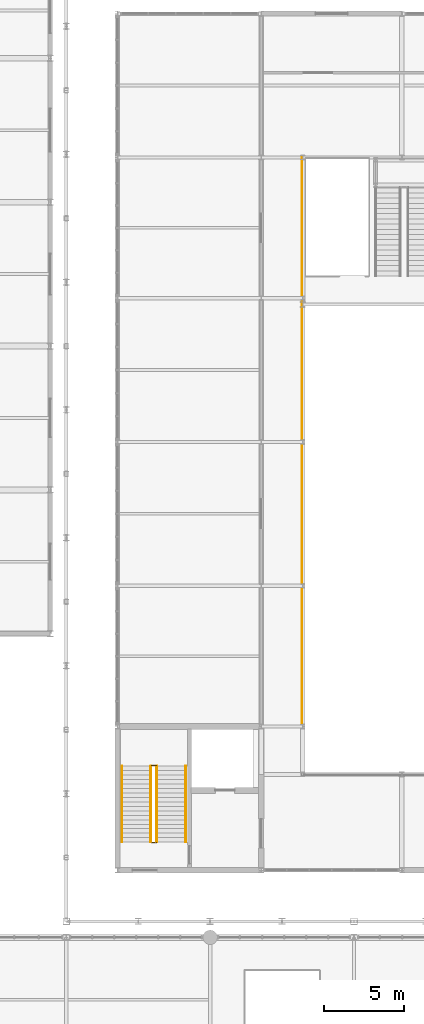
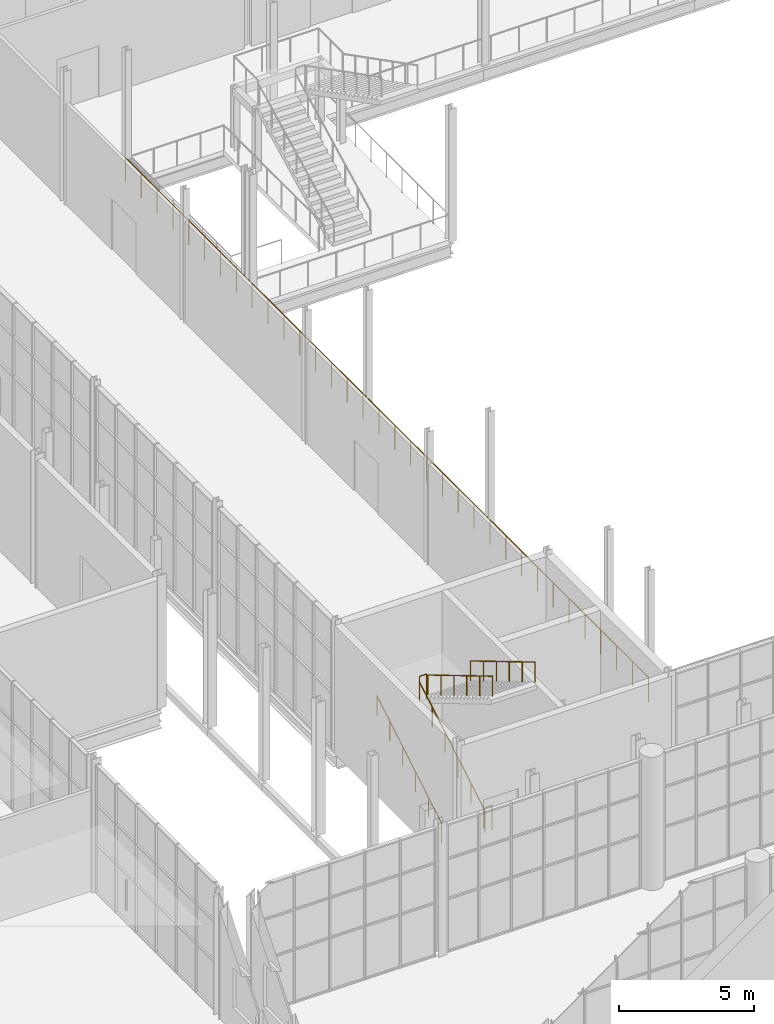
# One storey, part 148 of 159: 7 railings.
"""IFC4 building model written with IfcOpenShell, lengths in metres."""

from ifc_helpers import new_model, si_unit, direction, frame, origin, origin_2d, place, context, subcontext, project, spatial, circle, extrude, material, type_object, element, save


model = new_model("IFC4")

# Units and contexts
model_context = context("Model", 3, precision=1e-05, world=origin(), true_north=direction((0.0, 1.0)))
body_context = subcontext(model_context, "Body", "Model", "MODEL_VIEW")
ifc_project = project(units=[si_unit("LENGTHUNIT", "METRE"), si_unit("AREAUNIT", "SQUARE_METRE"), si_unit("VOLUMEUNIT", "CUBIC_METRE"), si_unit("PLANEANGLEUNIT", "RADIAN"), si_unit("MASSUNIT", "GRAM", prefix="KILO")], contexts=[model_context])

# Site, building, storey
site_placement = place(None, origin())
site = spatial("IfcSite", under=ifc_project, at=site_placement, CompositionType="ELEMENT")
building_placement = place(site_placement, origin())
building = spatial("IfcBuilding", under=site, at=building_placement, Name="Cazmaro Siding Exhibition Halls", CompositionType="ELEMENT")
storey_placement = place(building_placement, frame((0.0, 0.0, 6.0)))
storey = spatial("IfcBuildingStorey", under=building, at=storey_placement, Name="L01", CompositionType="ELEMENT", Elevation=6.0)

# Railings
ifc_material_1 = material(Name="Interior Laminated Glass and Brushed Stainless Steel Balustrade", Category="steel")
railing_type_1 = type_object("IfcRailingType", Name="RL-BAL-02", PredefinedType="BALUSTRADE", material=ifc_material_1)
railing_1_placement = place(storey_placement, frame((59.75, 73.199951171875, 0.0)))
element("IfcRailing", 1, at=railing_1_placement, inside=storey, type_object=railing_type_1, Name="Hall A West Gallery Overlook Guard L01 RL-BAL-02 RL-G008", PredefinedType="BALUSTRADE", context=body_context, shape_type="SweptSolid", body=[
    extrude(circle(Radius=0.02392578125, at=origin_2d()), frame((0.0, 0.0, 1.09619140625), z_axis=(0.0, 1.0, 0.0), x_axis=(-1.0, 0.0, 0.0)), (0.0, 0.0, 1.0), 38.60009765625),
    extrude(circle(Radius=0.02099609375, at=origin_2d()), origin(), (0.0, 0.0, 1.0), 1.072021484375),
    extrude(circle(Radius=0.02099609375, at=origin_2d()), frame((0.0, 1.169677734375, 0.0)), (0.0, 0.0, 1.0), 1.072021484375),
    extrude(circle(Radius=0.02099609375, at=origin_2d()), frame((0.0, 2.33935546875, 0.0)), (0.0, 0.0, 1.0), 1.072021484375),
    extrude(circle(Radius=0.02099609375, at=origin_2d()), frame((0.0, 3.509033203125, 0.0)), (0.0, 0.0, 1.0), 1.072021484375),
    extrude(circle(Radius=0.02099609375, at=origin_2d()), frame((0.0, 4.6787109375, 0.0)), (0.0, 0.0, 1.0), 1.072021484375),
    extrude(circle(Radius=0.02099609375, at=origin_2d()), frame((0.0, 5.848388671875, 0.0)), (0.0, 0.0, 1.0), 1.072021484375),
    extrude(circle(Radius=0.02099609375, at=origin_2d()), frame((0.0, 7.018310546875, 0.0)), (0.0, 0.0, 1.0), 1.072021484375),
    extrude(circle(Radius=0.02099609375, at=origin_2d()), frame((0.0, 8.18798828125, 0.0)), (0.0, 0.0, 1.0), 1.072021484375),
    extrude(circle(Radius=0.02099609375, at=origin_2d()), frame((0.0, 9.357666015625, 0.0)), (0.0, 0.0, 1.0), 1.072021484375),
    extrude(circle(Radius=0.02099609375, at=origin_2d()), frame((0.0, 10.52734375, 0.0)), (0.0, 0.0, 1.0), 1.072021484375),
    extrude(circle(Radius=0.02099609375, at=origin_2d()), frame((0.0, 11.697021484375, 0.0)), (0.0, 0.0, 1.0), 1.072021484375),
    extrude(circle(Radius=0.02099609375, at=origin_2d()), frame((0.0, 12.86669921875, 0.0)), (0.0, 0.0, 1.0), 1.072021484375),
    extrude(circle(Radius=0.02099609375, at=origin_2d()), frame((0.0, 14.036376953125, 0.0)), (0.0, 0.0, 1.0), 1.072021484375),
    extrude(circle(Radius=0.02099609375, at=origin_2d()), frame((0.0, 15.2060546875, 0.0)), (0.0, 0.0, 1.0), 1.072021484375),
    extrude(circle(Radius=0.02099609375, at=origin_2d()), frame((0.0, 16.375732421875, 0.0)), (0.0, 0.0, 1.0), 1.072021484375),
    extrude(circle(Radius=0.02099609375, at=origin_2d()), frame((0.0, 17.54541015625, 0.0)), (0.0, 0.0, 1.0), 1.072021484375),
    extrude(circle(Radius=0.02099609375, at=origin_2d()), frame((0.0, 18.715087890625, 0.0)), (0.0, 0.0, 1.0), 1.072021484375),
    extrude(circle(Radius=0.02099609375, at=origin_2d()), frame((0.0, 19.885009765625, 0.0)), (0.0, 0.0, 1.0), 1.072021484375),
    extrude(circle(Radius=0.02099609375, at=origin_2d()), frame((0.0, 21.0546875, 0.0)), (0.0, 0.0, 1.0), 1.072021484375),
    extrude(circle(Radius=0.02099609375, at=origin_2d()), frame((0.0, 22.224365234375, 0.0)), (0.0, 0.0, 1.0), 1.072021484375),
    extrude(circle(Radius=0.02099609375, at=origin_2d()), frame((0.0, 23.39404296875, 0.0)), (0.0, 0.0, 1.0), 1.072021484375),
    extrude(circle(Radius=0.02099609375, at=origin_2d()), frame((0.0, 24.563720703125, 0.0)), (0.0, 0.0, 1.0), 1.072021484375),
    extrude(circle(Radius=0.02099609375, at=origin_2d()), frame((0.0, 25.7333984375, 0.0)), (0.0, 0.0, 1.0), 1.072021484375),
    extrude(circle(Radius=0.02099609375, at=origin_2d()), frame((0.0, 26.903076171875, 0.0)), (0.0, 0.0, 1.0), 1.072021484375),
    extrude(circle(Radius=0.02099609375, at=origin_2d()), frame((0.0, 28.07275390625, 0.0)), (0.0, 0.0, 1.0), 1.072021484375),
    extrude(circle(Radius=0.02099609375, at=origin_2d()), frame((0.0, 29.242431640625, 0.0)), (0.0, 0.0, 1.0), 1.072021484375),
    extrude(circle(Radius=0.02099609375, at=origin_2d()), frame((0.0, 30.412109375, 0.0)), (0.0, 0.0, 1.0), 1.072021484375),
    extrude(circle(Radius=0.02099609375, at=origin_2d()), frame((0.0, 31.581787109375, 0.0)), (0.0, 0.0, 1.0), 1.072021484375),
    extrude(circle(Radius=0.02099609375, at=origin_2d()), frame((0.0, 32.751708984375, 0.0)), (0.0, 0.0, 1.0), 1.072021484375),
    extrude(circle(Radius=0.02099609375, at=origin_2d()), frame((0.0, 33.92138671875, 0.0)), (0.0, 0.0, 1.0), 1.072021484375),
    extrude(circle(Radius=0.02099609375, at=origin_2d()), frame((0.0, 35.091064453125, 0.0)), (0.0, 0.0, 1.0), 1.072021484375),
    extrude(circle(Radius=0.02099609375, at=origin_2d()), frame((0.0, 36.2607421875, 0.0)), (0.0, 0.0, 1.0), 1.072021484375),
    extrude(circle(Radius=0.02099609375, at=origin_2d()), frame((0.0, 37.430419921875, 0.0)), (0.0, 0.0, 1.0), 1.072021484375),
    extrude(circle(Radius=0.02099609375, at=origin_2d()), frame((0.0, 38.60009765625, 0.0)), (0.0, 0.0, 1.0), 1.072021484375),
])
ifc_material_2 = material(Name="Painted Steel Stairwell Guardrail", Category="steel")
railing_type_2 = type_object("IfcRailingType", Name="RL-GRD-01", PredefinedType="GUARDRAIL", material=ifc_material_2)
for number, where, name in (
    (2, (50.324951171875, 68.93994140625, 0.0), "Core C1 L01 Landing Slot Guard RL-GRD-01 RL-SG002"),
    (3, (50.324951171875, 73.760009765625, 3.0), "ST-02 Mid-Landing Slot Guard RL-GRD-01 RL-SG003"),
):
    element("IfcRailing", number, at=place(storey_placement, frame(where)), inside=storey, type_object=railing_type_2, Name=name, PredefinedType="GUARDRAIL", context=body_context, shape_type="SweptSolid", body=[
        extrude(circle(Radius=0.02392578125, at=origin_2d()), frame((0.0, 0.0, 1.09619140625), z_axis=(1.0, 0.0, 0.0), x_axis=(0.0, 1.0, 0.0)), (0.0, 0.0, 1.0), 0.304931640625),
        extrude(circle(Radius=0.02099609375, at=origin_2d()), origin(), (0.0, 0.0, 1.0), 1.072021484375),
        extrude(circle(Radius=0.02099609375, at=origin_2d()), frame((0.304931640625, 0.0, 0.0)), (0.0, 0.0, 1.0), 1.072021484375),
    ])
ifc_material_3 = material(Name="Brushed Stainless Steel Tubular Handrail", Category="steel")
railing_type_3 = type_object("IfcRailingType", Name="RL-HR-01", PredefinedType="HANDRAIL", material=ifc_material_3)
railing_2_placement = place(storey_placement, frame((48.47998046875, 68.9599609375, 0.1669921875)))
element("IfcRailing", 4, at=railing_2_placement, inside=storey, type_object=railing_type_3, Name="ST-02 Flight 1 Handrail 1", PredefinedType="HANDRAIL", context=body_context, shape_type="SweptSolid", body=[
    extrude(circle(Radius=0.02392578125, at=origin_2d()), frame((0.0, 0.0, 0.89599609375), z_axis=(0.0, 0.859319172962, 0.511439692417), x_axis=(-1.0, 0.0, 0.0)), (0.0, 0.0, 1.0), 5.539306640625),
    extrude(circle(Radius=0.02099609375, at=origin_2d()), origin(), (0.0, 0.0, 1.0), 0.871826171875),
    extrude(circle(Radius=0.02099609375, at=origin_2d()), frame((0.0, 0.951904296875, 0.566650390625)), (0.0, 0.0, 1.0), 0.871826171875),
    extrude(circle(Radius=0.02099609375, at=origin_2d()), frame((0.0, 1.904052734375, 1.13330078125)), (0.0, 0.0, 1.0), 0.871826171875),
    extrude(circle(Radius=0.02099609375, at=origin_2d()), frame((0.0, 2.85595703125, 1.69970703125)), (0.0, 0.0, 1.0), 0.871826171875),
    extrude(circle(Radius=0.02099609375, at=origin_2d()), frame((0.0, 3.80810546875, 2.266357421875)), (0.0, 0.0, 1.0), 0.871826171875),
    extrude(circle(Radius=0.02099609375, at=origin_2d()), frame((0.0, 4.760009765625, 2.8330078125)), (0.0, 0.0, 1.0), 0.871826171875),
])
railing_3_placement = place(storey_placement, frame((50.6650390625, 73.719970703125, 3.1669921875)))
element("IfcRailing", 5, at=railing_3_placement, inside=storey, type_object=railing_type_3, Name="ST-02 Flight 2 Handrail 1", PredefinedType="HANDRAIL", context=body_context, shape_type="SweptSolid", body=[
    extrude(circle(Radius=0.02392578125, at=origin_2d()), frame((0.0, 0.0, 0.89599609375), z_axis=(0.0, -0.859319172962, 0.511439692417), x_axis=(1.0, 0.0, 0.0)), (0.0, 0.0, 1.0), 5.539306640625),
    extrude(circle(Radius=0.02099609375, at=origin_2d()), origin(), (0.0, 0.0, 1.0), 0.871826171875),
    extrude(circle(Radius=0.02099609375, at=origin_2d()), frame((0.0, -0.951904296875, 0.566650390625)), (0.0, 0.0, 1.0), 0.871826171875),
    extrude(circle(Radius=0.02099609375, at=origin_2d()), frame((0.0, -1.904052734375, 1.13330078125)), (0.0, 0.0, 1.0), 0.871826171875),
    extrude(circle(Radius=0.02099609375, at=origin_2d()), frame((0.0, -2.85595703125, 1.69970703125)), (0.0, 0.0, 1.0), 0.871826171875),
    extrude(circle(Radius=0.02099609375, at=origin_2d()), frame((0.0, -3.80810546875, 2.266357421875)), (0.0, 0.0, 1.0), 0.871826171875),
    extrude(circle(Radius=0.02099609375, at=origin_2d()), frame((0.0, -4.760009765625, 2.8330078125)), (0.0, 0.0, 1.0), 0.871826171875),
])
railing_4_placement = place(storey_placement, frame((50.2900390625, 68.9599609375, 0.1669921875)))
element("IfcRailing", 6, at=railing_4_placement, inside=storey, type_object=railing_type_3, Name="ST-02 Flight 1 Handrail 2", PredefinedType="HANDRAIL", context=body_context, shape_type="SweptSolid", body=[
    extrude(circle(Radius=0.02392578125, at=origin_2d()), frame((0.0, 0.0, 0.89599609375), z_axis=(0.0, 0.859319172962, 0.511439692417), x_axis=(-1.0, 0.0, 0.0)), (0.0, 0.0, 1.0), 5.539306640625),
    extrude(circle(Radius=0.02099609375, at=origin_2d()), origin(), (0.0, 0.0, 1.0), 0.871826171875),
    extrude(circle(Radius=0.02099609375, at=origin_2d()), frame((0.0, 0.951904296875, 0.566650390625)), (0.0, 0.0, 1.0), 0.871826171875),
    extrude(circle(Radius=0.02099609375, at=origin_2d()), frame((0.0, 1.904052734375, 1.13330078125)), (0.0, 0.0, 1.0), 0.871826171875),
    extrude(circle(Radius=0.02099609375, at=origin_2d()), frame((0.0, 2.85595703125, 1.69970703125)), (0.0, 0.0, 1.0), 0.871826171875),
    extrude(circle(Radius=0.02099609375, at=origin_2d()), frame((0.0, 3.80810546875, 2.266357421875)), (0.0, 0.0, 1.0), 0.871826171875),
    extrude(circle(Radius=0.02099609375, at=origin_2d()), frame((0.0, 4.760009765625, 2.8330078125)), (0.0, 0.0, 1.0), 0.871826171875),
])
railing_5_placement = place(storey_placement, frame((52.47509765625, 73.719970703125, 3.1669921875)))
element("IfcRailing", 7, at=railing_5_placement, inside=storey, type_object=railing_type_3, Name="ST-02 Flight 2 Handrail 2", PredefinedType="HANDRAIL", context=body_context, shape_type="SweptSolid", body=[
    extrude(circle(Radius=0.02392578125, at=origin_2d()), frame((0.0, 0.0, 0.89599609375), z_axis=(0.0, -0.859319172962, 0.511439692417), x_axis=(1.0, 0.0, 0.0)), (0.0, 0.0, 1.0), 5.539306640625),
    extrude(circle(Radius=0.02099609375, at=origin_2d()), origin(), (0.0, 0.0, 1.0), 0.871826171875),
    extrude(circle(Radius=0.02099609375, at=origin_2d()), frame((0.0, -0.951904296875, 0.566650390625)), (0.0, 0.0, 1.0), 0.871826171875),
    extrude(circle(Radius=0.02099609375, at=origin_2d()), frame((0.0, -1.904052734375, 1.13330078125)), (0.0, 0.0, 1.0), 0.871826171875),
    extrude(circle(Radius=0.02099609375, at=origin_2d()), frame((0.0, -2.85595703125, 1.69970703125)), (0.0, 0.0, 1.0), 0.871826171875),
    extrude(circle(Radius=0.02099609375, at=origin_2d()), frame((0.0, -3.80810546875, 2.266357421875)), (0.0, 0.0, 1.0), 0.871826171875),
    extrude(circle(Radius=0.02099609375, at=origin_2d()), frame((0.0, -4.760009765625, 2.8330078125)), (0.0, 0.0, 1.0), 0.871826171875),
])

save(model, "model.ifc")
